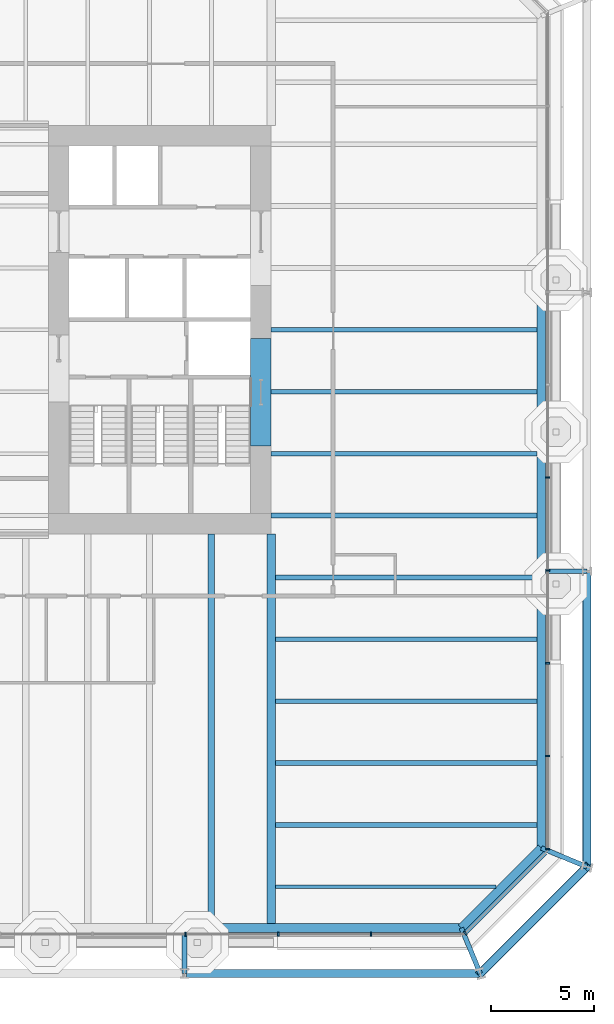
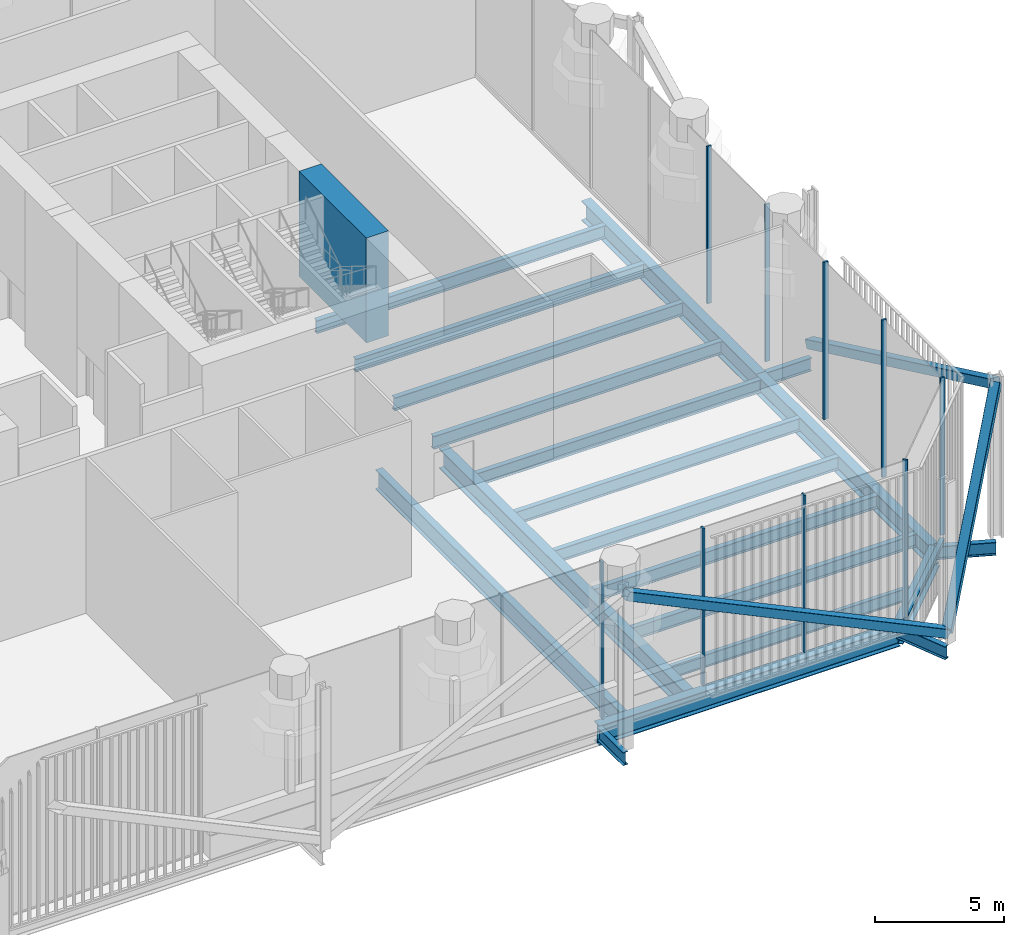
# One storey, part 6 of 18: 21 beams, 13 members, 3 elements without a shape of their own.
"""IFC4 building model written with IfcOpenShell, lengths in metres."""

import ifcopenshell
import ifcopenshell.guid

model = None  # the IFC model being written
_history = None  # IfcOwnerHistory: only IFC2X3 demands one
_inside = {}  # id of a spatial element -> (the spatial element, [elements in it])
_under = {}  # id of a project, library or spatial element -> (it, [spatial elements below it])
_declared = {}  # id of a project -> (the project, [libraries it declares])
_typed = {}  # id of a type object -> (the type object, [elements of that type])
_made_of = {}  # id of a material, layer set ... -> (it, [elements and type objects made of it])


def new_model(schema):
    """Start an empty IFC model of exactly this schema.

    Asked for "IFC4X3", IfcOpenShell would pick the latest addendum, in which some entities
    have other attributes; the version numbers below select the first issue.
    IFC2X3 requires an IfcOwnerHistory on every rooted entity: one is made here for all.
    """
    global model, _history
    if schema == "IFC4X3":
        model = ifcopenshell.file(schema_version=(4, 3, 0, 0))
    else:
        model = ifcopenshell.file(schema=schema)
    _inside.clear()
    _under.clear()
    _declared.clear()
    _typed.clear()
    _made_of.clear()
    _history = None
    if model.schema == "IFC2X3":
        org = make("IfcOrganization", Name="unknown")
        user = make(
            "IfcPersonAndOrganization",
            ThePerson=make("IfcPerson", FamilyName="unknown"),
            TheOrganization=org,
        )
        app = make(
            "IfcApplication",
            ApplicationDeveloper=org,
            Version="unknown",
            ApplicationFullName="unknown",
            ApplicationIdentifier="unknown",
        )
        _history = make(
            "IfcOwnerHistory",
            OwningUser=user,
            OwningApplication=app,
            ChangeAction="ADDED",
            CreationDate=0,
        )
    return model


def make(cls, **values):
    """One entity of the class cls with the attributes given. An attribute that is None is left unset."""
    return model.create_entity(
        cls, **{name: value for name, value in values.items() if value is not None}
    )


def rooted(cls, **values):
    """An entity with a GlobalId (a new one), such as an element, a storey or a relation."""
    return make(cls, GlobalId=ifcopenshell.guid.new(), OwnerHistory=_history, **values)


def si_unit(unit_type, name, prefix=None):
    """IfcSIUnit, for example si_unit("LENGTHUNIT", "METRE", prefix="MILLI")."""
    return make("IfcSIUnit", UnitType=unit_type, Prefix=prefix, Name=name)


def assignment(units):
    """IfcUnitAssignment: the units of a project."""
    return None if units is None else make("IfcUnitAssignment", Units=units)


def point(xyz):
    """IfcCartesianPoint."""
    return None if xyz is None else make("IfcCartesianPoint", Coordinates=xyz)


def direction(xyz):
    """IfcDirection."""
    return None if xyz is None else make("IfcDirection", DirectionRatios=xyz)


def frame(location, z_axis=None, x_axis=None):
    """IfcAxis2Placement3D, a coordinate frame: its origin and axes. An axis left out is left unset."""
    return make(
        "IfcAxis2Placement3D",
        Location=point(location),
        Axis=direction(z_axis),
        RefDirection=direction(x_axis),
    )


def frame_2d(location, x_axis=None):
    """IfcAxis2Placement2D, a coordinate frame in the plane: its origin and x axis."""
    return make(
        "IfcAxis2Placement2D", Location=point(location), RefDirection=direction(x_axis)
    )


def origin():
    """The frame at (0, 0, 0) with its axes left unset."""
    return frame((0.0, 0.0, 0.0))


def origin_2d():
    """The frame at (0, 0) in the plane with its x axis left unset."""
    return frame_2d((0.0, 0.0))


def place(relative_to, where):
    """IfcLocalPlacement: puts the frame where relative to a parent placement (None: the world)."""
    return make(
        "IfcLocalPlacement", PlacementRelTo=relative_to, RelativePlacement=where
    )


def context(
    kind, dimensions, precision=None, world=None, true_north=None, identifier=None
):
    """IfcGeometricRepresentationContext, for example the 3D "Model" context."""
    return make(
        "IfcGeometricRepresentationContext",
        ContextIdentifier=identifier,
        ContextType=kind,
        CoordinateSpaceDimension=dimensions,
        Precision=precision,
        WorldCoordinateSystem=world,
        TrueNorth=true_north,
    )


def subcontext(parent, identifier, kind, view, scale=None):
    """IfcGeometricRepresentationSubContext, for example "Body" below "Model"."""
    return make(
        "IfcGeometricRepresentationSubContext",
        ContextIdentifier=identifier,
        ContextType=kind,
        ParentContext=parent,
        TargetScale=scale,
        TargetView=view,
    )


def project(units=None, contexts=None):
    """IfcProject with its units and contexts."""
    return rooted(
        "IfcProject",
        Name="project",
        RepresentationContexts=contexts,
        UnitsInContext=assignment(units),
    )


def spatial(cls, under=None, at=None, **own):
    """A site, building, storey or space (cls), placed at a placement, below another one or the project."""
    s = rooted(cls, ObjectPlacement=at, **own)
    if under is not None:
        _under.setdefault(under.id(), (under, []))[1].append(s)
    return s


def profile(cls, at=None, kind="AREA", **sizes):
    """A parametric profile (cls). Its sizes go by their IFC names, for example OverallWidth=200.0."""
    return make(cls, ProfileType=kind, Position=at, **sizes)


def rectangle(**sizes):
    """IfcRectangleProfileDef."""
    return profile("IfcRectangleProfileDef", **sizes)


def hollow_rectangle(**sizes):
    """IfcRectangleHollowProfileDef."""
    return profile("IfcRectangleHollowProfileDef", **sizes)


def i_section(**sizes):
    """IfcIShapeProfileDef."""
    return profile("IfcIShapeProfileDef", **sizes)


def extrude(swept, where, along, depth):
    """IfcExtrudedAreaSolid: the profile swept, set in the frame where, extruded along a direction by depth."""
    return make(
        "IfcExtrudedAreaSolid",
        SweptArea=swept,
        Position=where,
        ExtrudedDirection=direction(along),
        Depth=depth,
    )


def shape(context_of_items, identifier, shape_type, items):
    """IfcShapeRepresentation: the items that make up one representation, for example the "Body"."""
    return make(
        "IfcShapeRepresentation",
        ContextOfItems=context_of_items,
        RepresentationIdentifier=identifier,
        RepresentationType=shape_type,
        Items=items,
    )


def material(Name=None, Category=None):
    """IfcMaterial."""
    return make("IfcMaterial", Name=Name, Category=Category)


def layer(
    of_material, thickness, ventilated=None, Name=None, Category=None, Priority=None
):
    """IfcMaterialLayer: one layer of a wall or slab, of a material (None: an air gap)."""
    return make(
        "IfcMaterialLayer",
        Material=of_material,
        LayerThickness=thickness,
        IsVentilated=ventilated,
        Name=Name,
        Category=Category,
        Priority=Priority,
    )


def layer_set(layers, Name=None):
    """IfcMaterialLayerSet."""
    return make("IfcMaterialLayerSet", MaterialLayers=layers, LayerSetName=Name)


def material_profile(
    of_material, cross_section, Name=None, Category=None, Priority=None
):
    """IfcMaterialProfile: a cross section and its material."""
    return make(
        "IfcMaterialProfile",
        Name=Name,
        Material=of_material,
        Profile=cross_section,
        Priority=Priority,
        Category=Category,
    )


def profile_set(profiles, Name=None, composite=None):
    """IfcMaterialProfileSet."""
    return make(
        "IfcMaterialProfileSet",
        Name=Name,
        MaterialProfiles=profiles,
        CompositeProfile=composite,
    )


def made_of(thing, what):
    """Note that an element or type object is made of a material, layer set ...; save() writes the relation."""
    if what is not None:
        _made_of.setdefault(what.id(), (what, []))[1].append(thing)
    return thing


def type_object(cls, material=None, **own):
    """A type object (cls), such as IfcWallType, which elements share."""
    return made_of(rooted(cls, **own), material)


def element(
    cls,
    number,
    at=None,
    inside=None,
    cuts=None,
    type_object=None,
    material=None,
    context=None,
    identifier="Body",
    shape_type=None,
    held_by="IfcProductDefinitionShape",
    body=None,
    shapes=None,
    **own,
):
    """One element of the class cls, such as IfcWall. Its Tag is "e" and its number.

    at: its placement. inside: the storey or other place that contains it. cuts: it is an
    opening in that element (IfcRelVoidsElement). A single representation is given by context,
    identifier, shape_type and body (its items); several are given by shapes. held_by: the class
    of the entity that holds the representations. save() writes the other relations.
    """
    e = rooted(cls, Tag="e%d" % number, ObjectPlacement=at, **own)
    if body is not None:
        shapes = [shape(context, identifier, shape_type, body)]
    if shapes is not None:
        e.Representation = make(held_by, Representations=shapes)
    if inside is not None:
        _inside.setdefault(inside.id(), (inside, []))[1].append(e)
    if cuts is not None:
        rooted(
            "IfcRelVoidsElement", RelatingBuildingElement=cuts, RelatedOpeningElement=e
        )
    if type_object is not None:
        _typed.setdefault(type_object.id(), (type_object, []))[1].append(e)
    return made_of(e, material)


def aggregate(whole, parts):
    """IfcRelAggregates: a whole, such as a stair, and the parts it consists of."""
    return rooted("IfcRelAggregates", RelatingObject=whole, RelatedObjects=parts)


def save(model, path):
    """Write the relations noted so far, then the file.

    IfcRelAggregates (storeys below a building ...), IfcRelContainedInSpatialStructure (elements
    in a storey), IfcRelDefinesByType, IfcRelAssociatesMaterial and IfcRelDeclares: one each for
    every whole, place, type object, material and project.
    """
    for whole, parts in _under.values():
        aggregate(whole, parts)
    for where, things in _inside.values():
        rooted(
            "IfcRelContainedInSpatialStructure",
            RelatedElements=things,
            RelatingStructure=where,
        )
    for kind, things in _typed.values():
        rooted("IfcRelDefinesByType", RelatedObjects=things, RelatingType=kind)
    for what, things in _made_of.values():
        rooted("IfcRelAssociatesMaterial", RelatedObjects=things, RelatingMaterial=what)
    for by, libraries in _declared.values():
        rooted("IfcRelDeclares", RelatingContext=by, RelatedDefinitions=libraries)
    model.write(path)


model = new_model("IFC4")

# Units and contexts
model_context = context("Model", 3, precision=1e-05, world=origin(), true_north=direction((0.0, 1.0)))
body_context = subcontext(model_context, "Body", "Model", "MODEL_VIEW")
ifc_project = project(units=[si_unit("LENGTHUNIT", "METRE"), si_unit("AREAUNIT", "SQUARE_METRE"), si_unit("VOLUMEUNIT", "CUBIC_METRE"), si_unit("PLANEANGLEUNIT", "RADIAN"), si_unit("MASSUNIT", "GRAM", prefix="KILO")], contexts=[model_context])

# Site, building, storey
site_placement = place(None, origin())
site = spatial("IfcSite", under=ifc_project, at=site_placement, CompositionType="ELEMENT")
building_placement = place(site_placement, origin())
building = spatial("IfcBuilding", under=site, at=building_placement, Name="Millrace Tower", CompositionType="ELEMENT")
storey_placement = place(building_placement, frame((0.0, 0.0, 112.800048828125)))
storey = spatial("IfcBuildingStorey", under=building, at=storey_placement, Name="L25", CompositionType="ELEMENT", Elevation=112.800048828125)

# Curtain wall, members
ifc_material_1 = material(Name="Aluminium and glass", Category="aluminium")
ifc_layer = layer(ifc_material_1, 0.199951171875)
ifc_layer_set = layer_set([ifc_layer], Name="Aluminium and glass")
curtain_wall_type = type_object("IfcCurtainWallType", Name="CW-4 sky garden winter glazing", PredefinedType="NOTDEFINED", material=ifc_layer_set)
placement = place(storey_placement, origin())
curtain_wall_1 = element("IfcCurtainWall", 1, at=placement, inside=storey, type_object=curtain_wall_type, Name="Curtain wall B-F02 L25", PredefinedType="NOTDEFINED")
ifc_material_2 = material(Name="Aluminium", Category="aluminium")
ifc_material_profile_1 = material_profile(ifc_material_2, rectangle(XDim=0.080078125, YDim=0.199951171875, at=origin_2d()))
ifc_profile_set_1 = profile_set([ifc_material_profile_1], Name="Aluminium")
member_type_1 = type_object("IfcMemberType", Name="CW-4 sky garden winter glazing mullion", PredefinedType="MULLION", material=ifc_profile_set_1)
member_1_placement = place(storey_placement, frame((10.739990234375, -29.300048828125, 0.179931640625), z_axis=(0.0, 0.0, 1.0), x_axis=(1.0, 0.0, 0.0)))
member_1 = element("IfcMember", 2, at=member_1_placement, type_object=member_type_1, Name="CW4 mullion B-F02.7", PredefinedType="MULLION", context=body_context, shape_type="SweptSolid", body=[
    extrude(rectangle(XDim=0.080078125, YDim=0.199951171875, at=origin_2d()), origin(), (0.0, 0.0, 1.0), 7.419921875),
])
member_2_placement = place(storey_placement, frame((15.239990234375, -29.300048828125, 0.179931640625), z_axis=(0.0, 0.0, 1.0), x_axis=(1.0, 0.0, 0.0)))
member_2 = element("IfcMember", 3, at=member_2_placement, type_object=member_type_1, Name="CW4 mullion B-F02.8", PredefinedType="MULLION", context=body_context, shape_type="SweptSolid", body=[
    extrude(rectangle(XDim=0.080078125, YDim=0.199951171875, at=origin_2d()), origin(), (0.0, 0.0, 1.0), 7.419921875),
])
member_3_placement = place(storey_placement, frame((19.739990234375, -29.300048828125, 0.179931640625), z_axis=(0.0, 0.0, 1.0), x_axis=(1.0, 0.0, 0.0)))
member_3 = element("IfcMember", 4, at=member_3_placement, type_object=member_type_1, Name="CW4 mullion B-F02.9", PredefinedType="MULLION", context=body_context, shape_type="SweptSolid", body=[
    extrude(rectangle(XDim=0.080078125, YDim=0.199951171875, at=origin_2d()), origin(), (0.0, 0.0, 1.0), 7.419921875),
])
aggregate(curtain_wall_1, [member_1, member_2, member_3])

# Curtain wall, member
curtain_wall_2 = element("IfcCurtainWall", 5, at=placement, inside=storey, type_object=curtain_wall_type, Name="Curtain wall B-F03 L25", PredefinedType="NOTDEFINED")
member_4_placement = place(storey_placement, frame((24.299072265625, -29.242431640625, 0.179931640625), z_axis=(0.0, 0.0, 1.0), x_axis=(0.707106781187, 0.707106781187, 0.0)))
member_4 = element("IfcMember", 6, at=member_4_placement, type_object=member_type_1, Name="CW4 mullion B-F03.1", PredefinedType="MULLION", context=body_context, shape_type="SweptSolid", body=[
    extrude(rectangle(XDim=0.080078125, YDim=0.199951171875, at=origin_2d()), origin(), (0.0, 0.0, 1.0), 7.419921875),
])

# Curtain wall, members
curtain_wall_3 = element("IfcCurtainWall", 7, at=placement, inside=storey, type_object=curtain_wall_type, Name="Curtain wall B-F04 L25", PredefinedType="NOTDEFINED")
member_5_placement = place(storey_placement, frame((28.300048828125, -25.159912109375, 0.179931640625), z_axis=(0.0, 0.0, 1.0), x_axis=(0.0, 1.0, 0.0)))
member_5 = element("IfcMember", 8, at=member_5_placement, type_object=member_type_1, Name="CW4 mullion B-F04.1", PredefinedType="MULLION", context=body_context, shape_type="SweptSolid", body=[
    extrude(rectangle(XDim=0.080078125, YDim=0.199951171875, at=origin_2d()), origin(), (0.0, 0.0, 1.0), 7.419921875),
])
member_6_placement = place(storey_placement, frame((28.300048828125, -20.659912109375, 0.179931640625), z_axis=(0.0, 0.0, 1.0), x_axis=(0.0, 1.0, 0.0)))
member_6 = element("IfcMember", 9, at=member_6_placement, type_object=member_type_1, Name="CW4 mullion B-F04.2", PredefinedType="MULLION", context=body_context, shape_type="SweptSolid", body=[
    extrude(rectangle(XDim=0.080078125, YDim=0.199951171875, at=origin_2d()), origin(), (0.0, 0.0, 1.0), 7.419921875),
])
member_7_placement = place(storey_placement, frame((28.300048828125, -16.159912109375, 0.179931640625), z_axis=(0.0, 0.0, 1.0), x_axis=(0.0, 1.0, 0.0)))
member_7 = element("IfcMember", 10, at=member_7_placement, type_object=member_type_1, Name="CW4 mullion B-F04.3", PredefinedType="MULLION", context=body_context, shape_type="SweptSolid", body=[
    extrude(rectangle(XDim=0.080078125, YDim=0.199951171875, at=origin_2d()), origin(), (0.0, 0.0, 1.0), 7.419921875),
])
member_8_placement = place(storey_placement, frame((28.300048828125, -11.659912109375, 0.179931640625), z_axis=(0.0, 0.0, 1.0), x_axis=(0.0, 1.0, 0.0)))
member_8 = element("IfcMember", 11, at=member_8_placement, type_object=member_type_1, Name="CW4 mullion B-F04.4", PredefinedType="MULLION", context=body_context, shape_type="SweptSolid", body=[
    extrude(rectangle(XDim=0.080078125, YDim=0.199951171875, at=origin_2d()), origin(), (0.0, 0.0, 1.0), 7.419921875),
])
member_9_placement = place(storey_placement, frame((28.300048828125, -7.159912109375, 0.179931640625), z_axis=(0.0, 0.0, 1.0), x_axis=(0.0, 1.0, 0.0)))
member_9 = element("IfcMember", 12, at=member_9_placement, type_object=member_type_1, Name="CW4 mullion B-F04.5", PredefinedType="MULLION", context=body_context, shape_type="SweptSolid", body=[
    extrude(rectangle(XDim=0.080078125, YDim=0.199951171875, at=origin_2d()), origin(), (0.0, 0.0, 1.0), 7.419921875),
])
aggregate(curtain_wall_3, [member_5, member_6, member_7, member_8, member_9])

# Member
ifc_material_3 = material(Name="Aluminium", Category="aluminium")
ifc_material_profile_2 = material_profile(ifc_material_3, rectangle(XDim=0.199951171875, YDim=0.179931640625, at=origin_2d()))
ifc_profile_set_2 = profile_set([ifc_material_profile_2], Name="Aluminium")
member_type_2 = type_object("IfcMemberType", Name="CW-4 sky garden winter glazing transom", PredefinedType="USERDEFINED", material=ifc_profile_set_2)
member_10_placement = place(storey_placement, frame((24.34130859375, -29.199951171875, 0.08984375), z_axis=(0.707106781187, 0.707106781187, 0.0), x_axis=(-0.707106781187, 0.707106781187, 0.0)))
member_10 = element("IfcMember", 13, at=member_10_placement, type_object=member_type_2, Name="CW4 transom B-F03.1", ObjectType="TRANSOM", PredefinedType="USERDEFINED", context=body_context, shape_type="SweptSolid", body=[
    extrude(rectangle(XDim=0.199951171875, YDim=0.179931640625, at=origin_2d()), origin(), (0.0, 0.0, 1.0), 5.45703125),
])

aggregate(curtain_wall_2, [member_4, member_10])

# Beam
ifc_material_4 = material(Name="Concrete C80", Category="concrete")
ifc_material_profile_3 = material_profile(ifc_material_4, rectangle(XDim=1.0, YDim=4.949951171875, at=origin_2d()))
ifc_profile_set_3 = profile_set([ifc_material_profile_3], Name="Concrete C80")
beam_type_1 = type_object("IfcBeamType", Name="Coupling beam 1000 x 4950 Concrete C80, 1300 opening", PredefinedType="BEAM", material=ifc_profile_set_3)
beam_1_placement = place(storey_placement, frame((14.39990234375, -0.43115234375, 4.875), z_axis=(0.0, -1.0, 0.0), x_axis=(1.0, 0.0, 0.0)))
element("IfcBeam", 14, at=beam_1_placement, inside=storey, type_object=beam_type_1, Name="Coupling beam E L25", PredefinedType="BEAM", context=body_context, shape_type="SweptSolid", body=[
    extrude(rectangle(XDim=1.0, YDim=4.949951171875, at=origin_2d()), origin(), (0.0, 0.0, 1.0), 5.19775390625),
])

# Members
ifc_material_5 = material(Name="Steel ASTM A500 Grade C", Category="steel")
ifc_material_profile_4 = material_profile(ifc_material_5, hollow_rectangle(XDim=0.406494140625, YDim=0.406494140625, WallThickness=0.0126953125, InnerFilletRadius=0.00634765625, OuterFilletRadius=0.01904296875, at=origin_2d()))
ifc_profile_set_4 = profile_set([ifc_material_profile_4], Name="Steel ASTM A500 Grade C")
member_type_3 = type_object("IfcMemberType", Name="Exoskeleton brace HSS16x16x1/2", PredefinedType="BRACE", material=ifc_profile_set_4)
member_11_placement = place(storey_placement, frame((25.0283203125, -31.199951171875, 0.39990234375), z_axis=(-0.90342227316, 0.0, 0.428751905371), x_axis=(0.0, -1.0, 0.0)))
element("IfcMember", 15, at=member_11_placement, inside=storey, type_object=member_type_3, Name="BRC-B-L25-04", PredefinedType="BRACE", context=body_context, shape_type="SweptSolid", body=[
    extrude(hollow_rectangle(XDim=0.406494140625, YDim=0.406494140625, WallThickness=0.0126953125, InnerFilletRadius=0.00634765625, OuterFilletRadius=0.01904296875, at=origin_2d()), origin(), (0.0, 0.0, 1.0), 15.860107421875),
])
member_12_placement = place(storey_placement, frame((25.0283203125, -31.199951171875, 0.39990234375), z_axis=(0.517856972807, 0.517856972807, 0.680917257404), x_axis=(-0.707106781187, 0.707106781187, 0.0)))
element("IfcMember", 16, at=member_12_placement, inside=storey, type_object=member_type_3, Name="BRC-B-L25-05", PredefinedType="BRACE", context=body_context, shape_type="SweptSolid", body=[
    extrude(hollow_rectangle(XDim=0.406494140625, YDim=0.406494140625, WallThickness=0.0126953125, InnerFilletRadius=0.00634765625, OuterFilletRadius=0.01904296875, at=origin_2d()), origin(), (0.0, 0.0, 1.0), 9.986572265625),
])
member_13_placement = place(storey_placement, frame((30.199951171875, -11.699951171875, 0.39990234375), z_axis=(0.0, -0.90342227316, 0.428751905371), x_axis=(1.0, 0.0, 0.0)))
element("IfcMember", 17, at=member_13_placement, inside=storey, type_object=member_type_3, Name="BRC-B-L25-06", PredefinedType="BRACE", context=body_context, shape_type="SweptSolid", body=[
    extrude(hollow_rectangle(XDim=0.406494140625, YDim=0.406494140625, WallThickness=0.0126953125, InnerFilletRadius=0.00634765625, OuterFilletRadius=0.01904296875, at=origin_2d()), origin(), (0.0, 0.0, 1.0), 15.860107421875),
])

# Beams
ifc_material_6 = material(Name="Steel ASTM A992 Grade 50", Category="steel")
ifc_material_profile_5 = material_profile(ifc_material_6, i_section(OverallWidth=0.1787109375, OverallDepth=0.60205078125, WebThickness=0.010986328125, FlangeThickness=0.014892578125, FilletRadius=0.0126953125, at=origin_2d()))
ifc_profile_set_5 = profile_set([ifc_material_profile_5], Name="Steel ASTM A992 Grade 50")
beam_type_2 = type_object("IfcBeamType", Name="Floor beam W24x62", PredefinedType="JOIST", material=ifc_profile_set_5)
beam_2_placement = place(storey_placement, frame((15.11083984375, -27.0, -0.551025390625), z_axis=(1.0, 0.0, 0.0), x_axis=(0.0, 1.0, 0.0)))
element("IfcBeam", 18, at=beam_2_placement, inside=storey, type_object=beam_type_2, Name="BM-B-L25-S1-S002", PredefinedType="JOIST", context=body_context, shape_type="SweptSolid", body=[
    extrude(i_section(OverallWidth=0.1787109375, OverallDepth=0.60205078125, WebThickness=0.010986328125, FlangeThickness=0.014892578125, FilletRadius=0.0126953125, at=origin_2d()), origin(), (0.0, 0.0, 1.0), 10.67236328125),
])
ifc_material_7 = material(Name="Steel ASTM A992 Grade 50", Category="steel")
ifc_material_profile_6 = material_profile(ifc_material_7, i_section(OverallWidth=0.228271484375, OverallDepth=0.607177734375, WebThickness=0.01123046875, FlangeThickness=0.017333984375, FilletRadius=0.0126953125, at=origin_2d()))
ifc_profile_set_6 = profile_set([ifc_material_profile_6], Name="Steel ASTM A992 Grade 50")
beam_type_3 = type_object("IfcBeamType", Name="Floor beam W24x76", PredefinedType="JOIST", material=ifc_profile_set_6)
for number, where, z_axis, x_axis, name in (
    (19, (15.11083984375, -24.0, -0.553466796875), (1.0, 0.0, 0.0), (0.0, 1.0, 0.0), "BM-B-L25-S1-S004"),
    (20, (15.11083984375, -21.0, -0.553466796875), (1.0, 0.0, 0.0), (0.0, 1.0, 0.0), "BM-B-L25-S1-S006"),
    (21, (15.11083984375, -18.0, -0.553466796875), (1.0, 0.0, 0.0), (0.0, 1.0, 0.0), "BM-B-L25-S1-S008"),
    (22, (15.11083984375, -15.0, -0.553466796875), (1.0, 0.0, 0.0), (0.0, 1.0, 0.0), "BM-B-L25-S1-S010"),
    (23, (15.11083984375, -12.0, -0.553466796875), (1.0, 0.0, 0.0), (0.0, 1.0, 0.0), "BM-B-L25-S1-S012"),
):
    element("IfcBeam", number, at=place(storey_placement, frame(where, z_axis=z_axis, x_axis=x_axis)), inside=storey, type_object=beam_type_3, Name=name, PredefinedType="JOIST", context=body_context, shape_type="SweptSolid", body=[
        extrude(i_section(OverallWidth=0.228271484375, OverallDepth=0.607177734375, WebThickness=0.01123046875, FlangeThickness=0.017333984375, FilletRadius=0.0126953125, at=origin_2d()), origin(), (0.0, 0.0, 1.0), 12.670166015625),
    ])
for number, where, z_axis, x_axis, name in (
    (24, (14.89990234375, -9.0, -0.553466796875), (1.0, 0.0, 0.0), (0.0, 1.0, 0.0), "BM-B-L25-S1-S015"),
    (25, (14.89990234375, -6.0, -0.553466796875), (1.0, 0.0, 0.0), (0.0, 1.0, 0.0), "BM-B-L25-S1-S018"),
    (26, (14.89990234375, -3.0, -0.553466796875), (1.0, 0.0, 0.0), (0.0, 1.0, 0.0), "BM-B-L25-S1-S021"),
    (27, (14.89990234375, 0.0, -0.553466796875), (1.0, 0.0, 0.0), (0.0, 1.0, 0.0), "BM-B-L25-S1-S024"),
):
    element("IfcBeam", number, at=place(storey_placement, frame(where, z_axis=z_axis, x_axis=x_axis)), inside=storey, type_object=beam_type_3, Name=name, PredefinedType="JOIST", context=body_context, shape_type="SweptSolid", body=[
        extrude(i_section(OverallWidth=0.228271484375, OverallDepth=0.607177734375, WebThickness=0.01123046875, FlangeThickness=0.017333984375, FilletRadius=0.0126953125, at=origin_2d()), origin(), (0.0, 0.0, 1.0), 12.881103515625),
    ])
ifc_material_8 = material(Name="Steel ASTM A992 Grade 50", Category="steel")
ifc_material_profile_7 = material_profile(ifc_material_8, i_section(OverallWidth=0.307373046875, OverallDepth=0.927001953125, WebThickness=0.01953125, FlangeThickness=0.031982421875, FilletRadius=0.01904296875, at=origin_2d()))
ifc_profile_set_7 = profile_set([ifc_material_profile_7], Name="Steel ASTM A992 Grade 50")
beam_type_4 = type_object("IfcBeamType", Name="Floor beam W36x194", PredefinedType="JOIST", material=ifc_profile_set_7)
beam_3_placement = place(storey_placement, frame((12.0, -28.781005859375, -0.713623046875), z_axis=(0.0, 1.0, 0.0), x_axis=(-1.0, 0.0, 0.0)))
element("IfcBeam", 28, at=beam_3_placement, inside=storey, type_object=beam_type_4, Name="BM-B-L25-S1-S057", PredefinedType="JOIST", context=body_context, shape_type="SweptSolid", body=[
    extrude(i_section(OverallWidth=0.307373046875, OverallDepth=0.927001953125, WebThickness=0.01953125, FlangeThickness=0.031982421875, FilletRadius=0.01904296875, at=origin_2d()), origin(), (0.0, 0.0, 1.0), 18.881103515625),
])
ifc_material_9 = material(Name="Steel ASTM A992 Grade 50", Category="steel")
ifc_material_profile_8 = material_profile(ifc_material_9, i_section(OverallWidth=0.424072265625, OverallDepth=0.947509765625, WebThickness=0.02392578125, FlangeThickness=0.042724609375, FilletRadius=0.024169921875, at=origin_2d()))
ifc_profile_set_8 = profile_set([ifc_material_profile_8], Name="Steel ASTM A992 Grade 50")
beam_type_5 = type_object("IfcBeamType", Name="Girder medium span W36x302", PredefinedType="BEAM", material=ifc_profile_set_8)
beam_4_placement = place(storey_placement, frame((14.89990234375, -28.781005859375, -0.723876953125), z_axis=(0.0, 1.0, 0.0), x_axis=(-1.0, 0.0, 0.0)))
element("IfcBeam", 29, at=beam_4_placement, inside=storey, type_object=beam_type_5, Name="BM-B-L25-S1-G061", PredefinedType="BEAM", context=body_context, shape_type="SweptSolid", body=[
    extrude(i_section(OverallWidth=0.424072265625, OverallDepth=0.947509765625, WebThickness=0.02392578125, FlangeThickness=0.042724609375, FilletRadius=0.024169921875, at=origin_2d()), origin(), (0.0, 0.0, 1.0), 18.881103515625),
])
ifc_material_10 = material(Name="Steel ASTM A992 Grade 50", Category="steel")
ifc_material_profile_9 = material_profile(ifc_material_10, i_section(OverallWidth=0.23046875, OverallDepth=0.6171875, WebThickness=0.01318359375, FlangeThickness=0.022216796875, FilletRadius=0.012939453125, at=origin_2d()))
ifc_profile_set_9 = profile_set([ifc_material_profile_9], Name="Steel ASTM A992 Grade 50")
beam_type_6 = type_object("IfcBeamType", Name="Link beam W24x94", PredefinedType="BEAM", material=ifc_profile_set_9)
beam_5_placement = place(storey_placement, frame((28.199951171875, -11.699951171875, -0.55859375), z_axis=(1.0, 0.0, 0.0), x_axis=(0.0, 1.0, 0.0)))
element("IfcBeam", 30, at=beam_5_placement, inside=storey, type_object=beam_type_6, Name="LNK-B-L25-S1-11", PredefinedType="BEAM", context=body_context, shape_type="SweptSolid", body=[
    extrude(i_section(OverallWidth=0.23046875, OverallDepth=0.6171875, WebThickness=0.01318359375, FlangeThickness=0.022216796875, FilletRadius=0.012939453125, at=origin_2d()), origin(), (0.0, 0.0, 1.0), 2.0),
])
for number, where, z_axis, x_axis, name in (
    (31, (27.990478515625, -25.11328125, -0.55859375), (0.923902368833, -0.382628295954, 0.0), (0.382628295954, 0.923902368833, 0.0), "LNK-B-L25-S1-12"),
    (32, (24.11328125, -28.990478515625, -0.55859375), (0.382628295954, -0.923902368833, 0.0), (0.923902368833, 0.382628295954, 0.0), "LNK-B-L25-S1-13"),
):
    element("IfcBeam", number, at=place(storey_placement, frame(where, z_axis=z_axis, x_axis=x_axis)), inside=storey, type_object=beam_type_6, Name=name, PredefinedType="BEAM", context=body_context, shape_type="SweptSolid", body=[
        extrude(i_section(OverallWidth=0.23046875, OverallDepth=0.6171875, WebThickness=0.01318359375, FlangeThickness=0.022216796875, FilletRadius=0.012939453125, at=origin_2d()), origin(), (0.0, 0.0, 1.0), 2.391357421875),
    ])
beam_6_placement = place(storey_placement, frame((10.699951171875, -29.199951171875, -0.55859375), z_axis=(0.0, -1.0, 0.0), x_axis=(1.0, 0.0, 0.0)))
element("IfcBeam", 33, at=beam_6_placement, inside=storey, type_object=beam_type_6, Name="LNK-B-L25-S1-14", PredefinedType="BEAM", context=body_context, shape_type="SweptSolid", body=[
    extrude(i_section(OverallWidth=0.23046875, OverallDepth=0.6171875, WebThickness=0.01318359375, FlangeThickness=0.022216796875, FilletRadius=0.012939453125, at=origin_2d()), origin(), (0.0, 0.0, 1.0), 2.0),
])
ifc_material_11 = material(Name="Steel ASTM A992 Grade 50", Category="steel")
ifc_material_profile_10 = material_profile(ifc_material_11, i_section(OverallWidth=0.419189453125, OverallDepth=0.927001953125, WebThickness=0.019287109375, FlangeThickness=0.031982421875, FilletRadius=0.024169921875, at=origin_2d()))
ifc_profile_set_10 = profile_set([ifc_material_profile_10], Name="Steel ASTM A992 Grade 50")
beam_type_7 = type_object("IfcBeamType", Name="Ring beam medium span W36x231", PredefinedType="SPANDREL", material=ifc_profile_set_10)
beam_7_placement = place(storey_placement, frame((27.990478515625, 1.800048828125, -0.713623046875), z_axis=(0.0, -1.0, 0.0), x_axis=(1.0, 0.0, 0.0)))
element("IfcBeam", 34, at=beam_7_placement, inside=storey, type_object=beam_type_7, Name="RNG-B-L25-S1-10", PredefinedType="SPANDREL", context=body_context, shape_type="SweptSolid", body=[
    extrude(i_section(OverallWidth=0.419189453125, OverallDepth=0.927001953125, WebThickness=0.019287109375, FlangeThickness=0.031982421875, FilletRadius=0.024169921875, at=origin_2d()), origin(), (0.0, 0.0, 1.0), 13.5),
])
for number, where, z_axis, x_axis, name in (
    (35, (27.990478515625, -11.699951171875, -0.713623046875), (0.0, -1.0, 0.0), (1.0, 0.0, 0.0), "RNG-B-L25-S1-11"),
    (36, (24.11328125, -28.990478515625, -0.713623046875), (-1.0, 0.0, 0.0), (0.0, -1.0, 0.0), "RNG-B-L25-S1-13"),
):
    element("IfcBeam", number, at=place(storey_placement, frame(where, z_axis=z_axis, x_axis=x_axis)), inside=storey, type_object=beam_type_7, Name=name, PredefinedType="SPANDREL", context=body_context, shape_type="SweptSolid", body=[
        extrude(i_section(OverallWidth=0.419189453125, OverallDepth=0.927001953125, WebThickness=0.019287109375, FlangeThickness=0.031982421875, FilletRadius=0.024169921875, at=origin_2d()), origin(), (0.0, 0.0, 1.0), 13.413330078125),
    ])
ifc_material_12 = material(Name="Steel ASTM A992 Grade 50", Category="steel")
ifc_material_profile_11 = material_profile(ifc_material_12, i_section(OverallWidth=0.419189453125, OverallDepth=0.927001953125, WebThickness=0.019287109375, FlangeThickness=0.031982421875, FilletRadius=0.024169921875, at=origin_2d()))
ifc_profile_set_11 = profile_set([ifc_material_profile_11], Name="Steel ASTM A992 Grade 50")
beam_type_8 = type_object("IfcBeamType", Name="Ring beam short span W36x231", PredefinedType="SPANDREL", material=ifc_profile_set_11)
beam_8_placement = place(storey_placement, frame((27.990478515625, -25.11328125, -0.713623046875), z_axis=(-0.707106781187, -0.707106781187, 0.0), x_axis=(0.707106781187, -0.707106781187, 0.0)))
element("IfcBeam", 37, at=beam_8_placement, inside=storey, type_object=beam_type_8, Name="RNG-B-L25-S1-12", PredefinedType="SPANDREL", context=body_context, shape_type="SweptSolid", body=[
    extrude(i_section(OverallWidth=0.419189453125, OverallDepth=0.927001953125, WebThickness=0.019287109375, FlangeThickness=0.031982421875, FilletRadius=0.024169921875, at=origin_2d()), origin(), (0.0, 0.0, 1.0), 5.483154296875),
])

save(model, "model.ifc")
